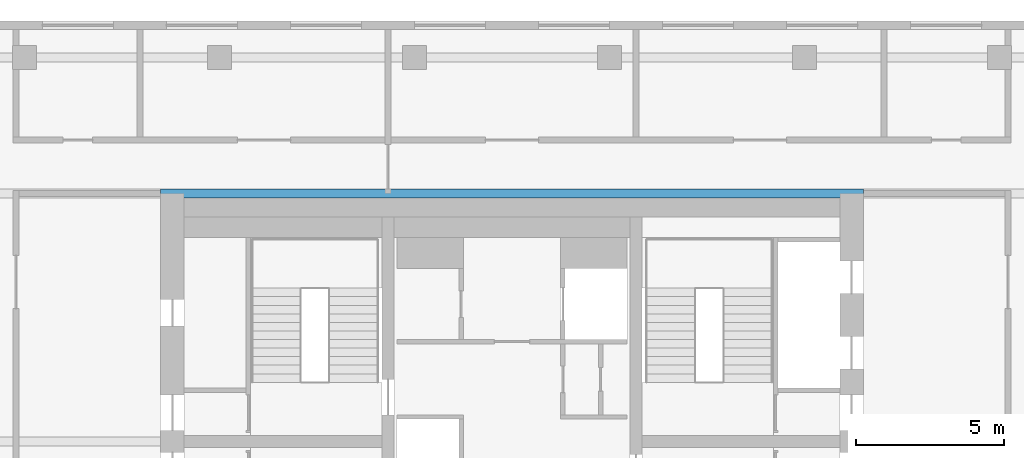
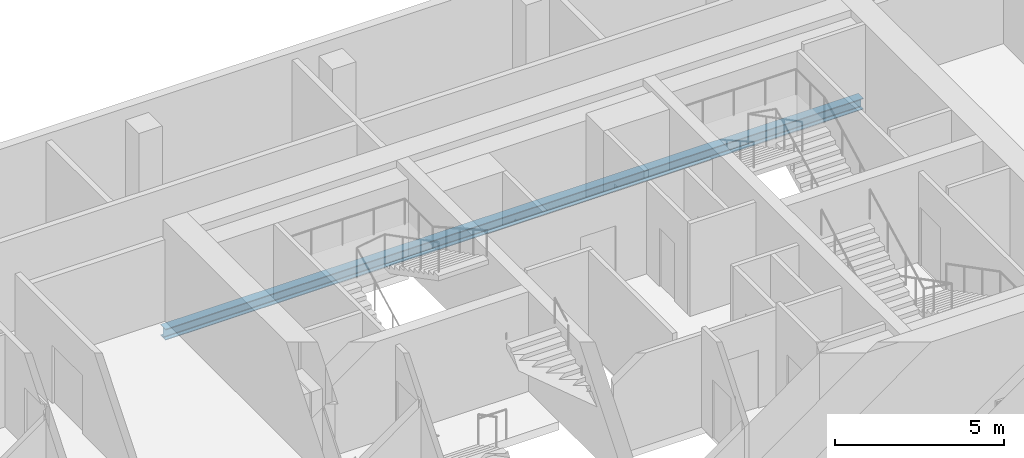
# One storey, part 9 of 22: 1 beam.
"""IFC4 building model written with IfcOpenShell, lengths in metres."""

from ifc_helpers import new_model, si_unit, direction, frame, origin, origin_2d, place, context, subcontext, project, spatial, i_section, extrude, material, material_profile, profile_set, type_object, element, save


model = new_model("IFC4")

# Units and contexts
model_context = context("Model", 3, precision=1e-05, world=origin(), true_north=direction((0.0, 1.0)))
body_context = subcontext(model_context, "Body", "Model", "MODEL_VIEW")
ifc_project = project(units=[si_unit("LENGTHUNIT", "METRE"), si_unit("AREAUNIT", "SQUARE_METRE"), si_unit("VOLUMEUNIT", "CUBIC_METRE"), si_unit("PLANEANGLEUNIT", "RADIAN"), si_unit("MASSUNIT", "GRAM", prefix="KILO")], contexts=[model_context])

# Site, building, storey
site_placement = place(None, origin())
site = spatial("IfcSite", under=ifc_project, at=site_placement, CompositionType="ELEMENT")
building_placement = place(site_placement, origin())
building = spatial("IfcBuilding", under=site, at=building_placement, Name="Marenta Gate Hotel Tower", CompositionType="ELEMENT")
storey_placement = place(building_placement, frame((0.0, 0.0, 209.300048828125)))
storey = spatial("IfcBuildingStorey", under=building, at=storey_placement, Name="L48", CompositionType="ELEMENT", Elevation=209.300048828125)

# Beam
ifc_material = material(Name="Steel S355", Category="steel")
ifc_material_profile = material_profile(ifc_material, i_section(OverallWidth=0.300048828125, OverallDepth=0.39990234375, WebThickness=0.013427734375, FlangeThickness=0.02392578125, FilletRadius=0.027099609375, at=origin_2d()), Name="HEB 400")
ifc_profile_set = profile_set([ifc_material_profile], Name="Steel S355")
beam_type = type_object("IfcBeamType", Name="Girder HEB 400", PredefinedType="BEAM", material=ifc_profile_set)
beam_placement = place(storey_placement, frame((-11.89990234375, 16.800048828125, -0.4599609375), z_axis=(1.0, 0.0, 0.0), x_axis=(0.0, 1.0, 0.0)))
element("IfcBeam", 1, at=beam_placement, inside=storey, type_object=beam_type, Name="L48-GD-31", PredefinedType="BEAM", context=body_context, shape_type="SweptSolid", body=[
    extrude(i_section(OverallWidth=0.300048828125, OverallDepth=0.39990234375, WebThickness=0.013427734375, FlangeThickness=0.02392578125, FilletRadius=0.027099609375, at=origin_2d()), origin(), (0.0, 0.0, 1.0), 23.7998046875),
])

save(model, "model.ifc")
